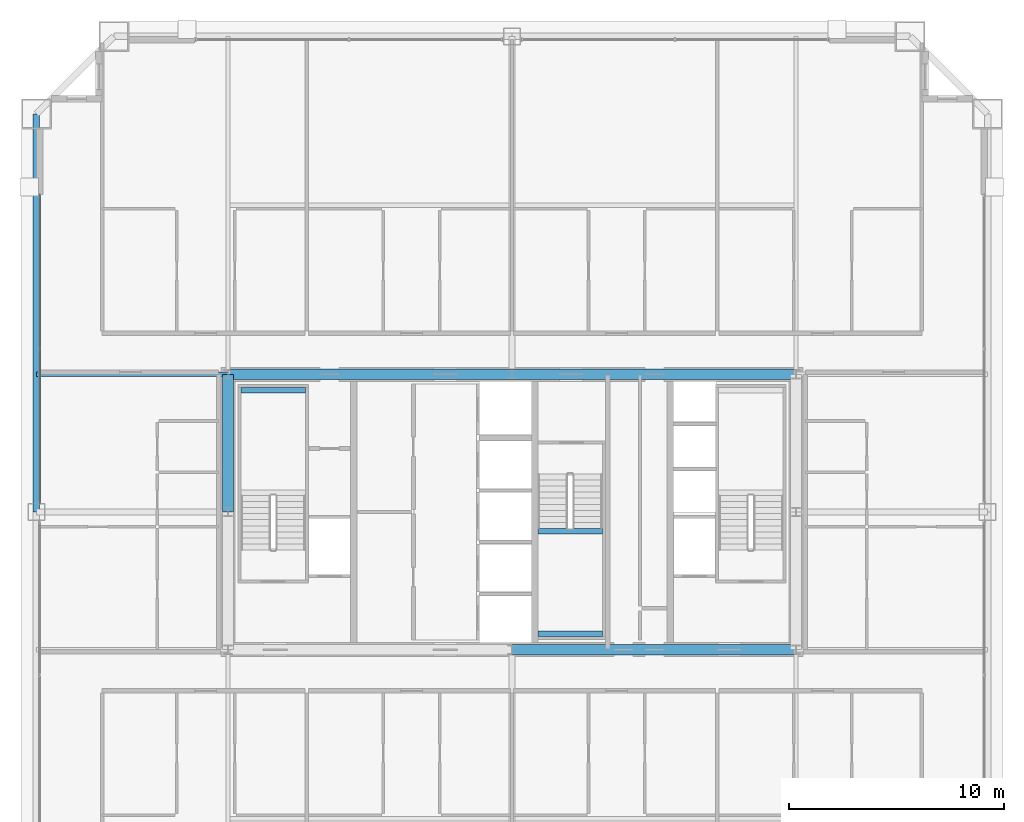
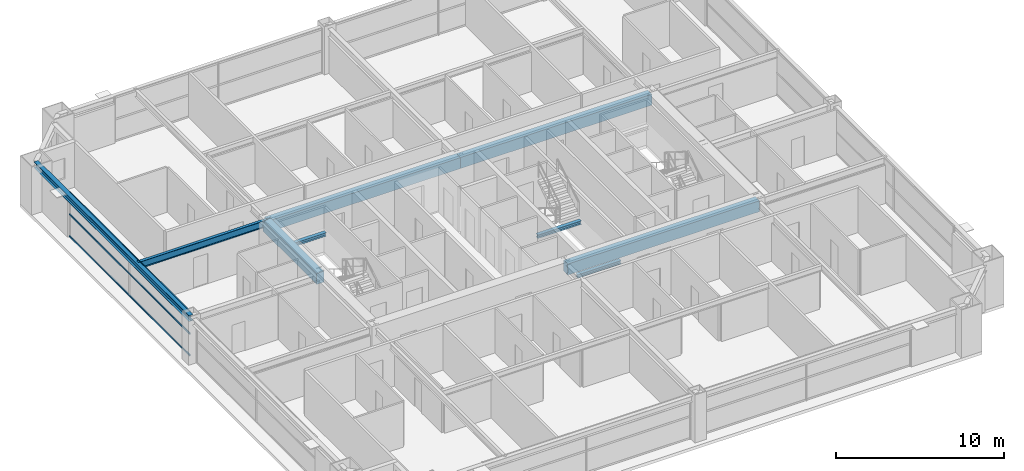
# One storey, part 15 of 38: 9 beams, 3 members, 1 element without a shape of its own.
"""IFC4 building model written with IfcOpenShell, lengths in metres."""

from ifc_helpers import new_model, si_unit, direction, frame, origin, origin_2d, place, context, subcontext, project, spatial, rectangle, hollow_rectangle, i_section, extrude, source, transform, mapped, material, layer, layer_set, material_profile, profile_set, type_object, element, aggregate, save


model = new_model("IFC4")

# Units and contexts
model_context = context("Model", 3, precision=1e-05, world=origin(), true_north=direction((0.0, 1.0)))
body_context = subcontext(model_context, "Body", "Model", "MODEL_VIEW")
ifc_project = project(units=[si_unit("LENGTHUNIT", "METRE"), si_unit("AREAUNIT", "SQUARE_METRE"), si_unit("VOLUMEUNIT", "CUBIC_METRE"), si_unit("PLANEANGLEUNIT", "RADIAN"), si_unit("MASSUNIT", "GRAM", prefix="KILO"), si_unit("THERMODYNAMICTEMPERATUREUNIT", "KELVIN"), si_unit("POWERUNIT", "WATT")], contexts=[model_context])

# Site, building, storey
site_placement = place(None, origin())
site = spatial("IfcSite", under=ifc_project, at=site_placement, CompositionType="ELEMENT")
building_placement = place(site_placement, origin())
building = spatial("IfcBuilding", under=site, at=building_placement, Name="Yuzanri Waterfront Tower", CompositionType="ELEMENT")
storey_placement = place(building_placement, frame((0.0, 0.0, 181.0)))
storey = spatial("IfcBuildingStorey", under=building, at=storey_placement, Name="L47", CompositionType="ELEMENT", Elevation=181.0)

# Beams
ifc_material_1 = material(Name="Steel Q355B", Category="steel")
ifc_material_profile_1 = material_profile(ifc_material_1, i_section(OverallWidth=0.300048828125, OverallDepth=0.43994140625, WebThickness=0.010986328125, FlangeThickness=0.01806640625, at=origin_2d()), Name="HM 440x300x11x18")
ifc_profile_set_1 = profile_set([ifc_material_profile_1], Name="Steel Q355B")
beam_type_1 = type_object("IfcBeamType", Name="Perimeter Spandrel Q355B HM 440x300", PredefinedType="SPANDREL", material=ifc_profile_set_1)
shared_shape_1 = source(origin(), body_context, "Body", "SweptSolid", [
    extrude(i_section(OverallWidth=0.300048828125, OverallDepth=0.43994140625, WebThickness=0.010986328125, FlangeThickness=0.01806640625, at=origin_2d()), origin(), (0.0, 0.0, 1.0), 18.5),
])
beam_1_placement = place(storey_placement, frame((14.89990234375, 44.300048828125, 3.06005859375), z_axis=(0.0, -1.0, 0.0), x_axis=(1.0, 0.0, 0.0)))
element("IfcBeam", 1, at=beam_1_placement, inside=storey, type_object=beam_type_1, Name="L47 Perimeter Spandrel W3-W2", PredefinedType="SPANDREL", context=body_context, shape_type="MappedRepresentation", body=[
    mapped(shared_shape_1, transform((0.0, 0.0, 0.0), scale=1.0)),
])
ifc_material_2 = material(Name="Steel Q355B", Category="steel")
ifc_material_profile_2 = material_profile(ifc_material_2, i_section(OverallWidth=0.199951171875, OverallDepth=0.5, WebThickness=0.010009765625, FlangeThickness=0.01611328125, at=origin_2d()), Name="HN 500x200x10x16")
ifc_profile_set_2 = profile_set([ifc_material_profile_2], Name="Steel Q355B")
beam_type_2 = type_object("IfcBeamType", Name="Secondary Floor Beam Q355B HN 500x200", PredefinedType="BEAM", material=ifc_profile_set_2)
shared_shape_2 = source(origin(), body_context, "Body", "SweptSolid", [
    extrude(i_section(OverallWidth=0.199951171875, OverallDepth=0.5, WebThickness=0.010009765625, FlangeThickness=0.01611328125, at=origin_2d()), origin(), (0.0, 0.0, 1.0), 8.900146484375),
])
beam_2_placement = place(storey_placement, frame((23.800048828125, 32.199951171875, 3.030029296875), z_axis=(-1.0, 0.0, 0.0), x_axis=(0.0, -1.0, 0.0)))
element("IfcBeam", 2, at=beam_2_placement, inside=storey, type_object=beam_type_2, Name="L47 West-North Core Line Beam", PredefinedType="BEAM", context=body_context, shape_type="MappedRepresentation", body=[
    mapped(shared_shape_2, transform((0.0, 0.0, 0.0), scale=1.0)),
])
ifc_material_3 = material(Name="Concrete C50", Category="concrete")
ifc_material_profile_3 = material_profile(ifc_material_3, rectangle(XDim=0.5, YDim=0.800048828125, at=origin_2d()), Name="RC 500x800")
ifc_profile_set_3 = profile_set([ifc_material_profile_3], Name="Concrete C50")
beam_type_3 = type_object("IfcBeamType", Name="Core Coupling Lintel Concrete C50 500x800", PredefinedType="LINTEL", material=ifc_profile_set_3)
shared_shape_3 = source(origin(), body_context, "Body", "SweptSolid", [
    extrude(rectangle(XDim=0.5, YDim=0.800048828125, at=origin_2d()), origin(), (0.0, 0.0, 1.0), 13.199951171875),
])
for number, where, z_axis, x_axis, name in (
    (3, (37.0, 19.39990234375, 2.8798828125), (1.0, 0.0, 0.0), (0.0, 1.0, 0.0), "L47 Core Tie Beam CS2"),
    (4, (23.800048828125, 32.199951171875, 2.8798828125), (1.0, 0.0, 0.0), (0.0, 1.0, 0.0), "L47 Core Tie Beam CN1"),
    (5, (37.0, 32.199951171875, 2.8798828125), (1.0, 0.0, 0.0), (0.0, 1.0, 0.0), "L47 Core Tie Beam CN2"),
):
    element("IfcBeam", number, at=place(storey_placement, frame(where, z_axis=z_axis, x_axis=x_axis)), inside=storey, type_object=beam_type_3, Name=name, PredefinedType="LINTEL", context=body_context, shape_type="MappedRepresentation", body=[
        mapped(shared_shape_3, transform((0.0, 0.0, 0.0), scale=1.0)),
    ])
shared_shape_4 = source(origin(), body_context, "Body", "SweptSolid", [
    extrude(rectangle(XDim=0.5, YDim=0.800048828125, at=origin_2d()), origin(), (0.0, 0.0, 1.0), 6.39990234375),
])
beam_3_placement = place(storey_placement, frame((23.800048828125, 25.800048828125, 2.8798828125), z_axis=(0.0, 1.0, 0.0), x_axis=(-1.0, 0.0, 0.0)))
element("IfcBeam", 6, at=beam_3_placement, inside=storey, type_object=beam_type_3, Name="L47 Core Tie Beam CW2", PredefinedType="LINTEL", context=body_context, shape_type="MappedRepresentation", body=[
    mapped(shared_shape_4, transform((0.0, 0.0, 0.0), scale=1.0)),
])

# Curtain wall, members
ifc_material_4 = material(Name="Anodized Architectural Bronze", Category="metal")
ifc_layer = layer(ifc_material_4, 0.159912109375)
ifc_layer_set = layer_set([ifc_layer], Name="Anodized Architectural Bronze")
curtain_wall_type = type_object("IfcCurtainWallType", Name="Anodized Bronze Mid-Rise Residential Acoustic Unitized Curtain Wall 7200", PredefinedType="NOTDEFINED", material=ifc_layer_set)
curtain_wall_placement = place(storey_placement, origin())
curtain_wall = element("IfcCurtainWall", 7, at=curtain_wall_placement, inside=storey, type_object=curtain_wall_type, Name="L47 Curtain Wall CW-L47-WR", PredefinedType="NOTDEFINED")
ifc_material_5 = material(Name="Anodized Architectural Bronze", Category="metal")
ifc_material_profile_4 = material_profile(ifc_material_5, hollow_rectangle(XDim=0.06494140625, YDim=0.1201171875, WallThickness=0.00341796875, at=origin_2d()), Name="CWT 65x120")
ifc_profile_set_4 = profile_set([ifc_material_profile_4], Name="Anodized Architectural Bronze")
member_type = type_object("IfcMemberType", Name="Anodized Bronze Secondary Curtain-Wall Transom 65x120", PredefinedType="USERDEFINED", material=ifc_profile_set_4)
shared_shape_5 = source(origin(), body_context, "Body", "SweptSolid", [
    extrude(hollow_rectangle(XDim=0.06494140625, YDim=0.1201171875, WallThickness=0.00341796875, at=origin_2d()), origin(), (0.0, 0.0, 1.0), 14.35009765625),
])
member_1_placement = place(storey_placement, frame((15.050048828125, 26.199951171875, 0.050048828125), z_axis=(0.0, 1.0, 0.0), x_axis=(-1.0, 0.0, 0.0)))
member_1 = element("IfcMember", 8, at=member_1_placement, type_object=member_type, Name="CW-L47-WR Transom 1", ObjectType="TRANSOM", PredefinedType="USERDEFINED", context=body_context, shape_type="MappedRepresentation", body=[
    mapped(shared_shape_5, transform((0.0, 0.0, 0.0), scale=1.0)),
])
member_2_placement = place(storey_placement, frame((15.050048828125, 26.199951171875, 1.639892578125), z_axis=(0.0, 1.0, 0.0), x_axis=(-1.0, 0.0, 0.0)))
member_2 = element("IfcMember", 9, at=member_2_placement, type_object=member_type, Name="CW-L47-WR Transom 2", ObjectType="TRANSOM", PredefinedType="USERDEFINED", context=body_context, shape_type="MappedRepresentation", body=[
    mapped(shared_shape_5, transform((0.0, 0.0, 0.0), scale=1.0)),
])
member_3_placement = place(storey_placement, frame((15.050048828125, 26.199951171875, 3.22998046875), z_axis=(0.0, 1.0, 0.0), x_axis=(-1.0, 0.0, 0.0)))
member_3 = element("IfcMember", 10, at=member_3_placement, type_object=member_type, Name="CW-L47-WR Transom 3", ObjectType="TRANSOM", PredefinedType="USERDEFINED", context=body_context, shape_type="MappedRepresentation", body=[
    mapped(shared_shape_5, transform((0.0, 0.0, 0.0), scale=1.0)),
])
aggregate(curtain_wall, [member_1, member_2, member_3])

# Beams
ifc_material_6 = material(Name="Steel Q355B", Category="steel")
ifc_material_profile_5 = material_profile(ifc_material_6, i_section(OverallWidth=0.25, OverallDepth=0.25, WebThickness=0.009033203125, FlangeThickness=0.013916015625, at=origin_2d()), Name="HW 250x250x9x14")
ifc_profile_set_5 = profile_set([ifc_material_profile_5], Name="Steel Q355B")
beam_type_4 = type_object("IfcBeamType", Name="Stair Landing Support Beam Q355B HW 250x250", PredefinedType="BEAM", material=ifc_profile_set_5)
shared_shape_6 = source(origin(), body_context, "Body", "SweptSolid", [
    extrude(i_section(OverallWidth=0.25, OverallDepth=0.25, WebThickness=0.009033203125, FlangeThickness=0.013916015625, at=origin_2d()), origin(), (0.0, 0.0, 1.0), 3.0),
])
for number, where, z_axis, x_axis, name in (
    (11, (24.39990234375, 31.449951171875, 1.425048828125), (1.0, 0.0, 0.0), (0.0, 1.0, 0.0), "L47 Stair Landing Support Beam ST-01-L47-L1-2"),
    (12, (38.199951171875, 20.14990234375, 1.425048828125), (1.0, 0.0, 0.0), (0.0, 1.0, 0.0), "L47 Stair Landing Support Beam ST-03-L47-L1-1"),
    (13, (38.199951171875, 24.909912109375, 1.425048828125), (1.0, 0.0, 0.0), (0.0, 1.0, 0.0), "L47 Stair Landing Support Beam ST-03-L47-L1-2"),
):
    element("IfcBeam", number, at=place(storey_placement, frame(where, z_axis=z_axis, x_axis=x_axis)), inside=storey, type_object=beam_type_4, Name=name, PredefinedType="BEAM", context=body_context, shape_type="MappedRepresentation", body=[
        mapped(shared_shape_6, transform((0.0, 0.0, 0.0), scale=1.0)),
    ])

save(model, "model.ifc")
